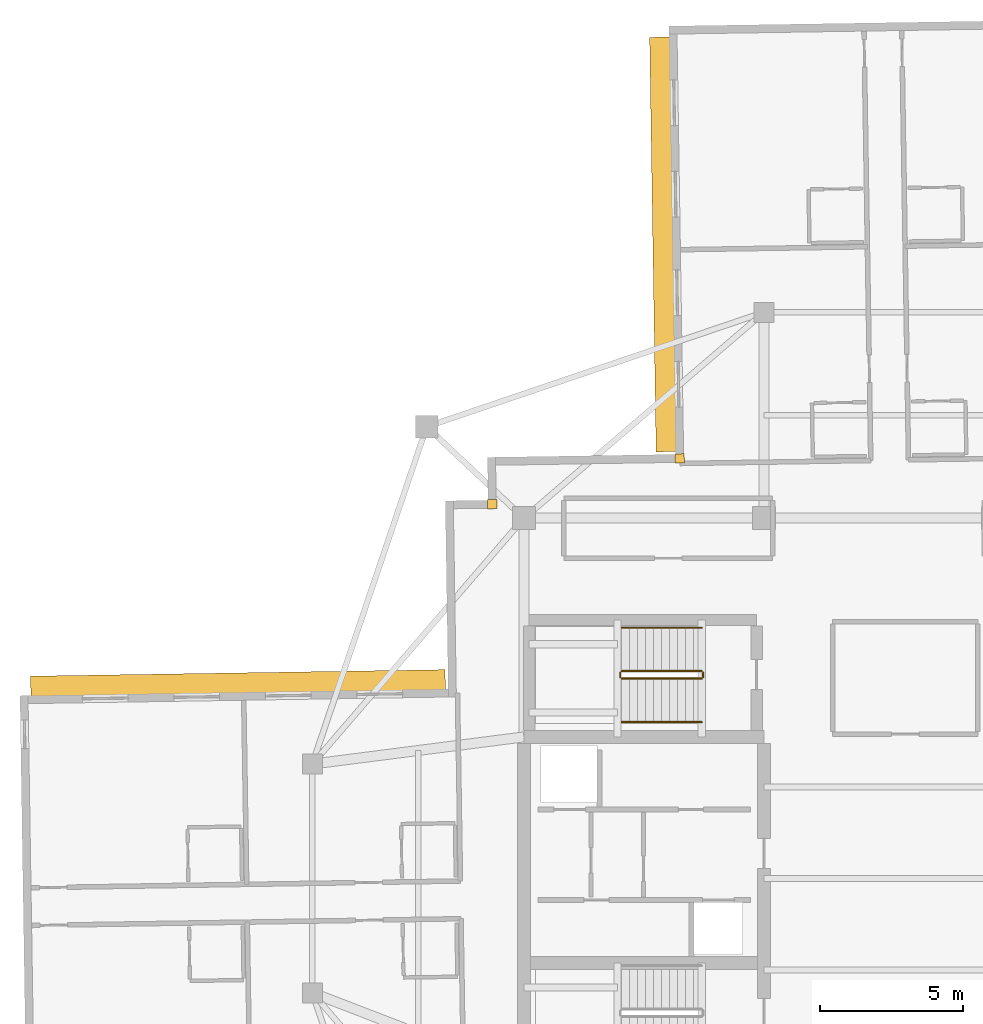
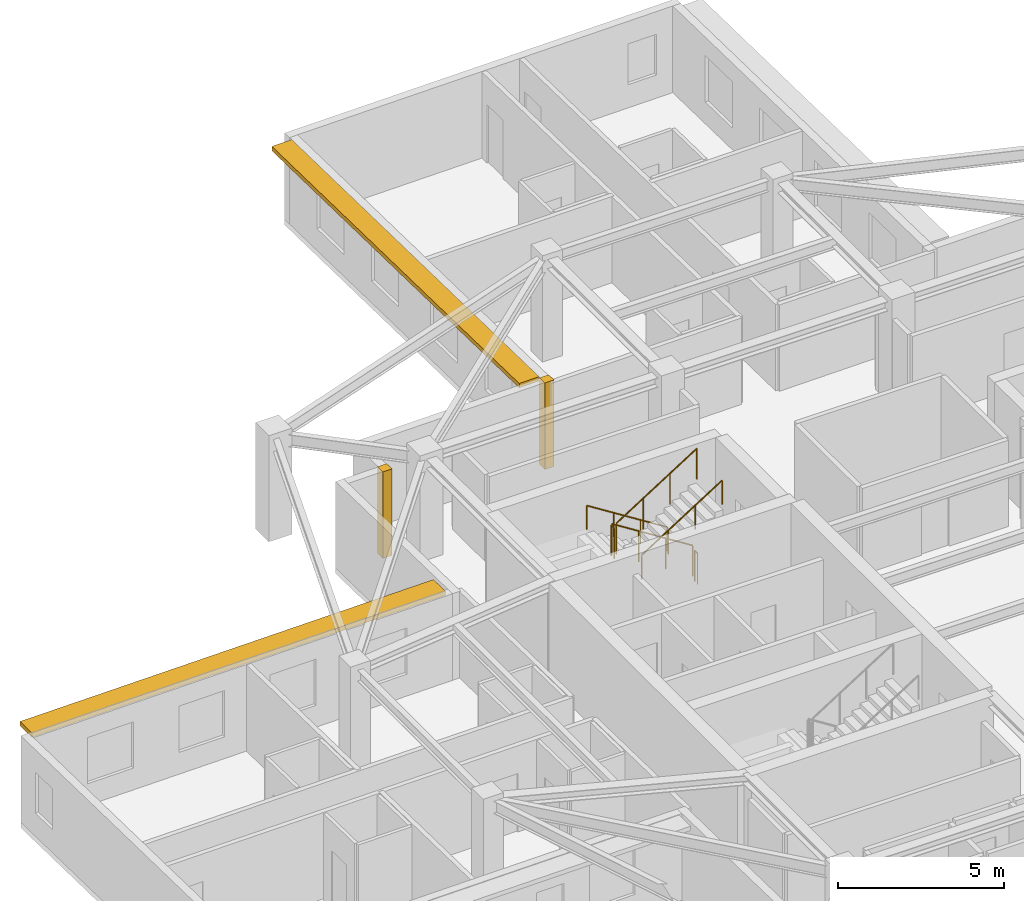
# One storey, part 11 of 12: 6 railings, 2 coverings, 2 shading devices.
"""IFC4 building model written with IfcOpenShell, lengths in metres."""

from ifc_helpers import new_model, si_unit, direction, frame, origin, origin_2d, place, context, subcontext, project, spatial, rectangle, circle, extrude, material, layer, layer_set, type_object, element, save


model = new_model("IFC4")

# Units and contexts
model_context = context("Model", 3, precision=1e-05, world=origin(), true_north=direction((0.0, 1.0)))
body_context = subcontext(model_context, "Body", "Model", "MODEL_VIEW")
ifc_project = project(units=[si_unit("LENGTHUNIT", "METRE"), si_unit("AREAUNIT", "SQUARE_METRE"), si_unit("VOLUMEUNIT", "CUBIC_METRE"), si_unit("PLANEANGLEUNIT", "RADIAN"), si_unit("MASSUNIT", "GRAM", prefix="KILO")], contexts=[model_context])

# Site, building, storey
site_placement = place(None, origin())
site = spatial("IfcSite", under=ifc_project, at=site_placement, CompositionType="ELEMENT")
building_placement = place(site_placement, origin())
building = spatial("IfcBuilding", under=site, at=building_placement, Name="Qingluan Cross Belvedere", CompositionType="ELEMENT")
storey_placement = place(building_placement, frame((0.0, 0.0, 269.39990234375)))
storey = spatial("IfcBuildingStorey", under=building, at=storey_placement, Name="L67", CompositionType="ELEMENT", Elevation=269.39990234375)

# Coverings
ifc_material_1 = material(Name="Precast concrete C45", Category="concrete")
ifc_layer_1 = layer(ifc_material_1, 0.1201171875, Name="ConcreteSpandrelCladding_120")
ifc_layer_set_1 = layer_set([ifc_layer_1], Name="Precast concrete C45")
covering_type = type_object("IfcCoveringType", Name="ConcreteSpandrelCladding_120", PredefinedType="CLADDING", material=ifc_layer_set_1)
for number, where, z_axis, x_axis, name in (
    (1, (-13.50732421875, 13.089599609375, 0.0), (0.0, 0.0, 1.0), (0.999876632482, 0.015707317312, 0.0), "Corner closure L67-NW1"),
    (2, (-6.95166015625, 14.692626953125, 0.0), (0.0, 0.0, 1.0), (0.999876632482, 0.015707317312, 0.0), "Corner closure L67-NW2"),
):
    element("IfcCovering", number, at=place(storey_placement, frame(where, z_axis=z_axis, x_axis=x_axis)), inside=storey, type_object=covering_type, Name=name, PredefinedType="CLADDING", context=body_context, shape_type="SweptSolid", body=[
        extrude(rectangle(XDim=0.320068359375, YDim=0.320068359375, at=origin_2d()), origin(), (0.0, 0.0, 1.0), 3.179931640625),
    ])

# Shading devices
ifc_material_2 = material(Name="Precast concrete C45", Category="concrete")
ifc_layer_2 = layer(ifc_material_2, 0.139892578125, Name="ConcreteSunshadeBand_700")
ifc_layer_set_2 = layer_set([ifc_layer_2], Name="Precast concrete C45")
shading_device_type = type_object("IfcShadingDeviceType", Name="ConcreteSunshadeBand_700", PredefinedType="USERDEFINED", material=ifc_layer_set_2)
for number, where, z_axis, x_axis, name in (
    (3, (-7.539306640625, 22.17431640625, 3.0), (0.0, 0.0, 1.0), (0.015707468526, -0.999876630106, 0.0), "Concrete SUNSHADE L67-NB"),
    (4, (-22.400146484375, 6.839111328125, 3.0), (0.0, 0.0, 1.0), (-0.999876630106, -0.015707468526, 0.0), "Concrete SUNSHADE L67-WA"),
):
    element("IfcShadingDevice", number, at=place(storey_placement, frame(where, z_axis=z_axis, x_axis=x_axis)), inside=storey, type_object=shading_device_type, Name=name, ObjectType="SUNSHADE", PredefinedType="USERDEFINED", context=body_context, shape_type="SweptSolid", body=[
        extrude(rectangle(XDim=14.5, YDim=0.699951171875, at=origin_2d()), origin(), (0.0, 0.0, 1.0), 0.159912109375),
    ])

# Railings
ifc_material_3 = material(Name="Brushed stainless steel tubular handrail", Category="steel")
railing_type_1 = type_object("IfcRailingType", Name="StairPitchHandrail_900", PredefinedType="HANDRAIL", material=ifc_material_3)
railing_1_placement = place(storey_placement, frame((-6.179931640625, 8.77001953125, 0.177490234375)))
element("IfcRailing", 5, at=railing_1_placement, inside=storey, type_object=railing_type_1, Name="L67 ST3 stair handrail 1", PredefinedType="HANDRAIL", context=body_context, shape_type="SweptSolid", body=[
    extrude(circle(Radius=0.02392578125, at=origin_2d()), frame((0.0, 0.0, 0.8759765625), z_axis=(-0.844908973607, 0.0, 0.534910110503), x_axis=(0.0, -1.0, 0.0)), (0.0, 0.0, 1.0), 3.31396484375),
    extrude(circle(Radius=0.02099609375, at=origin_2d()), origin(), (0.0, 0.0, 1.0), 0.851806640625),
    extrude(circle(Radius=0.02099609375, at=origin_2d()), frame((-0.933349609375, 0.0, 0.5908203125)), (0.0, 0.0, 1.0), 0.851806640625),
    extrude(circle(Radius=0.02099609375, at=origin_2d()), frame((-1.86669921875, 0.0, 1.181884765625)), (0.0, 0.0, 1.0), 0.851806640625),
    extrude(circle(Radius=0.02099609375, at=origin_2d()), frame((-2.800048828125, 0.0, 1.772705078125)), (0.0, 0.0, 1.0), 0.851806640625),
])
railing_2_placement = place(storey_placement, frame((-8.97998046875, 5.469970703125, 2.12744140625)))
element("IfcRailing", 6, at=railing_2_placement, inside=storey, type_object=railing_type_1, Name="L67 ST3 stair handrail 2", PredefinedType="HANDRAIL", context=body_context, shape_type="SweptSolid", body=[
    extrude(circle(Radius=0.02392578125, at=origin_2d()), frame((0.0, 0.0, 0.8759765625), z_axis=(0.844908973607, 0.0, 0.534910110503), x_axis=(0.0, 1.0, 0.0)), (0.0, 0.0, 1.0), 3.31396484375),
    extrude(circle(Radius=0.02099609375, at=origin_2d()), origin(), (0.0, 0.0, 1.0), 0.851806640625),
    extrude(circle(Radius=0.02099609375, at=origin_2d()), frame((0.933349609375, 0.0, 0.5908203125)), (0.0, 0.0, 1.0), 0.851806640625),
    extrude(circle(Radius=0.02099609375, at=origin_2d()), frame((1.86669921875, 0.0, 1.181884765625)), (0.0, 0.0, 1.0), 0.851806640625),
    extrude(circle(Radius=0.02099609375, at=origin_2d()), frame((2.800048828125, 0.0, 1.772705078125)), (0.0, 0.0, 1.0), 0.851806640625),
])
ifc_material_4 = material(Name="Painted steel stair well guard", Category="steel")
railing_type_2 = type_object("IfcRailingType", Name="StairWellGuard_1150", PredefinedType="BALUSTRADE", material=ifc_material_4)
railing_3_placement = place(storey_placement, frame((-6.179931640625, 7.25, 0.177490234375)))
element("IfcRailing", 7, at=railing_3_placement, inside=storey, type_object=railing_type_2, Name="L67 ST3 stair guard 1", PredefinedType="BALUSTRADE", context=body_context, shape_type="SweptSolid", body=[
    extrude(circle(Radius=0.02392578125, at=origin_2d()), frame((0.0, 0.0, 1.1259765625), z_axis=(-0.844908973607, 0.0, 0.534910110503), x_axis=(0.0, -1.0, 0.0)), (0.0, 0.0, 1.0), 3.31396484375),
    extrude(circle(Radius=0.02099609375, at=origin_2d()), origin(), (0.0, 0.0, 1.0), 1.101806640625),
    extrude(circle(Radius=0.02099609375, at=origin_2d()), frame((-0.933349609375, 0.0, 0.5908203125)), (0.0, 0.0, 1.0), 1.101806640625),
    extrude(circle(Radius=0.02099609375, at=origin_2d()), frame((-1.86669921875, 0.0, 1.181884765625)), (0.0, 0.0, 1.0), 1.101806640625),
    extrude(circle(Radius=0.02099609375, at=origin_2d()), frame((-2.800048828125, 0.0, 1.772705078125)), (0.0, 0.0, 1.0), 1.101806640625),
])
railing_4_placement = place(storey_placement, frame((-9.030029296875, 7.199951171875, 1.9501953125)))
element("IfcRailing", 8, at=railing_4_placement, inside=storey, type_object=railing_type_2, Name="L67 ST3 stair guard 2", PredefinedType="BALUSTRADE", context=body_context, shape_type="SweptSolid", body=[
    extrude(circle(Radius=0.02392578125, at=origin_2d()), frame((0.0, 0.0, 1.1259765625), z_axis=(0.0, -1.0, 0.0), x_axis=(1.0, 0.0, 0.0)), (0.0, 0.0, 1.0), 0.159912109375),
    extrude(circle(Radius=0.02099609375, at=origin_2d()), origin(), (0.0, 0.0, 1.0), 1.101806640625),
    extrude(circle(Radius=0.02099609375, at=origin_2d()), frame((0.0, -0.159912109375, 0.0)), (0.0, 0.0, 1.0), 1.101806640625),
])
railing_5_placement = place(storey_placement, frame((-8.97998046875, 6.989990234375, 2.12744140625)))
element("IfcRailing", 9, at=railing_5_placement, inside=storey, type_object=railing_type_2, Name="L67 ST3 stair guard 3", PredefinedType="BALUSTRADE", context=body_context, shape_type="SweptSolid", body=[
    extrude(circle(Radius=0.02392578125, at=origin_2d()), frame((0.0, 0.0, 1.1259765625), z_axis=(0.844908973607, 0.0, 0.534910110503), x_axis=(0.0, 1.0, 0.0)), (0.0, 0.0, 1.0), 3.31396484375),
    extrude(circle(Radius=0.02099609375, at=origin_2d()), origin(), (0.0, 0.0, 1.0), 1.101806640625),
    extrude(circle(Radius=0.02099609375, at=origin_2d()), frame((0.933349609375, 0.0, 0.5908203125)), (0.0, 0.0, 1.0), 1.101806640625),
    extrude(circle(Radius=0.02099609375, at=origin_2d()), frame((1.86669921875, 0.0, 1.181884765625)), (0.0, 0.0, 1.0), 1.101806640625),
    extrude(circle(Radius=0.02099609375, at=origin_2d()), frame((2.800048828125, 0.0, 1.772705078125)), (0.0, 0.0, 1.0), 1.101806640625),
])
railing_6_placement = place(storey_placement, frame((-6.1298828125, 7.199951171875, 0.0)))
element("IfcRailing", 10, at=railing_6_placement, inside=storey, type_object=railing_type_2, Name="L67 ST3 stair guard 4", PredefinedType="BALUSTRADE", context=body_context, shape_type="SweptSolid", body=[
    extrude(circle(Radius=0.02392578125, at=origin_2d()), frame((0.0, 0.0, 1.1259765625), z_axis=(0.0, -1.0, 0.0), x_axis=(1.0, 0.0, 0.0)), (0.0, 0.0, 1.0), 0.159912109375),
    extrude(circle(Radius=0.02099609375, at=origin_2d()), origin(), (0.0, 0.0, 1.0), 1.101806640625),
    extrude(circle(Radius=0.02099609375, at=origin_2d()), frame((0.0, -0.159912109375, 0.0)), (0.0, 0.0, 1.0), 1.101806640625),
])

save(model, "model.ifc")
